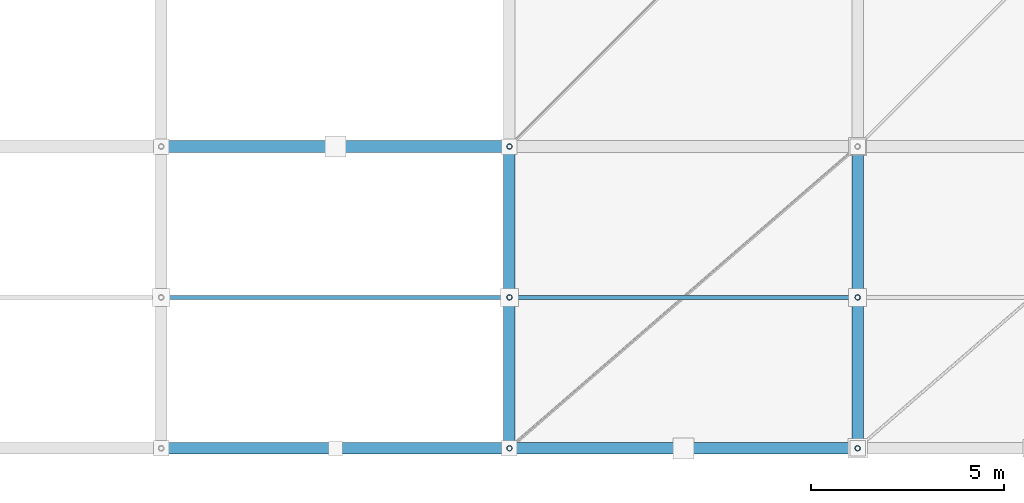
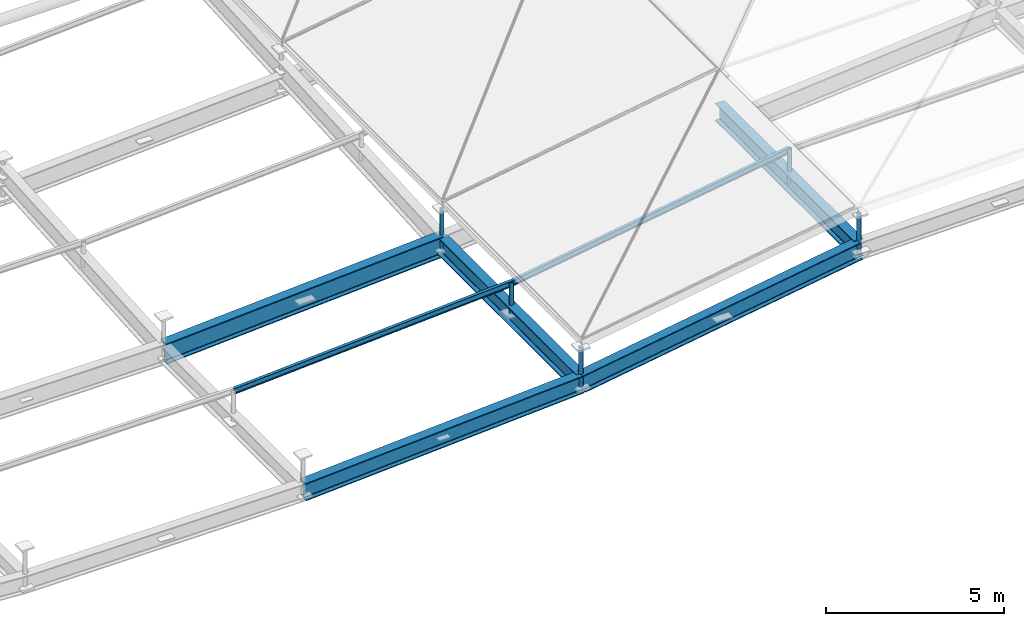
# One storey, part 15 of 80: 7 members, 5 beams.
"""IFC4 building model written with IfcOpenShell, lengths in metres."""

import ifcopenshell
import ifcopenshell.guid

model = None  # the IFC model being written
_history = None  # IfcOwnerHistory: only IFC2X3 demands one
_inside = {}  # id of a spatial element -> (the spatial element, [elements in it])
_under = {}  # id of a project, library or spatial element -> (it, [spatial elements below it])
_declared = {}  # id of a project -> (the project, [libraries it declares])
_typed = {}  # id of a type object -> (the type object, [elements of that type])
_made_of = {}  # id of a material, layer set ... -> (it, [elements and type objects made of it])


def new_model(schema):
    """Start an empty IFC model of exactly this schema.

    Asked for "IFC4X3", IfcOpenShell would pick the latest addendum, in which some entities
    have other attributes; the version numbers below select the first issue.
    IFC2X3 requires an IfcOwnerHistory on every rooted entity: one is made here for all.
    """
    global model, _history
    if schema == "IFC4X3":
        model = ifcopenshell.file(schema_version=(4, 3, 0, 0))
    else:
        model = ifcopenshell.file(schema=schema)
    _inside.clear()
    _under.clear()
    _declared.clear()
    _typed.clear()
    _made_of.clear()
    _history = None
    if model.schema == "IFC2X3":
        org = make("IfcOrganization", Name="unknown")
        user = make(
            "IfcPersonAndOrganization",
            ThePerson=make("IfcPerson", FamilyName="unknown"),
            TheOrganization=org,
        )
        app = make(
            "IfcApplication",
            ApplicationDeveloper=org,
            Version="unknown",
            ApplicationFullName="unknown",
            ApplicationIdentifier="unknown",
        )
        _history = make(
            "IfcOwnerHistory",
            OwningUser=user,
            OwningApplication=app,
            ChangeAction="ADDED",
            CreationDate=0,
        )
    return model


def make(cls, **values):
    """One entity of the class cls with the attributes given. An attribute that is None is left unset."""
    return model.create_entity(
        cls, **{name: value for name, value in values.items() if value is not None}
    )


def rooted(cls, **values):
    """An entity with a GlobalId (a new one), such as an element, a storey or a relation."""
    return make(cls, GlobalId=ifcopenshell.guid.new(), OwnerHistory=_history, **values)


def si_unit(unit_type, name, prefix=None):
    """IfcSIUnit, for example si_unit("LENGTHUNIT", "METRE", prefix="MILLI")."""
    return make("IfcSIUnit", UnitType=unit_type, Prefix=prefix, Name=name)


def assignment(units):
    """IfcUnitAssignment: the units of a project."""
    return None if units is None else make("IfcUnitAssignment", Units=units)


def point(xyz):
    """IfcCartesianPoint."""
    return None if xyz is None else make("IfcCartesianPoint", Coordinates=xyz)


def direction(xyz):
    """IfcDirection."""
    return None if xyz is None else make("IfcDirection", DirectionRatios=xyz)


def frame(location, z_axis=None, x_axis=None):
    """IfcAxis2Placement3D, a coordinate frame: its origin and axes. An axis left out is left unset."""
    return make(
        "IfcAxis2Placement3D",
        Location=point(location),
        Axis=direction(z_axis),
        RefDirection=direction(x_axis),
    )


def frame_2d(location, x_axis=None):
    """IfcAxis2Placement2D, a coordinate frame in the plane: its origin and x axis."""
    return make(
        "IfcAxis2Placement2D", Location=point(location), RefDirection=direction(x_axis)
    )


def origin():
    """The frame at (0, 0, 0) with its axes left unset."""
    return frame((0.0, 0.0, 0.0))


def origin_2d():
    """The frame at (0, 0) in the plane with its x axis left unset."""
    return frame_2d((0.0, 0.0))


def place(relative_to, where):
    """IfcLocalPlacement: puts the frame where relative to a parent placement (None: the world)."""
    return make(
        "IfcLocalPlacement", PlacementRelTo=relative_to, RelativePlacement=where
    )


def context(
    kind, dimensions, precision=None, world=None, true_north=None, identifier=None
):
    """IfcGeometricRepresentationContext, for example the 3D "Model" context."""
    return make(
        "IfcGeometricRepresentationContext",
        ContextIdentifier=identifier,
        ContextType=kind,
        CoordinateSpaceDimension=dimensions,
        Precision=precision,
        WorldCoordinateSystem=world,
        TrueNorth=true_north,
    )


def subcontext(parent, identifier, kind, view, scale=None):
    """IfcGeometricRepresentationSubContext, for example "Body" below "Model"."""
    return make(
        "IfcGeometricRepresentationSubContext",
        ContextIdentifier=identifier,
        ContextType=kind,
        ParentContext=parent,
        TargetScale=scale,
        TargetView=view,
    )


def project(units=None, contexts=None):
    """IfcProject with its units and contexts."""
    return rooted(
        "IfcProject",
        Name="project",
        RepresentationContexts=contexts,
        UnitsInContext=assignment(units),
    )


def spatial(cls, under=None, at=None, **own):
    """A site, building, storey or space (cls), placed at a placement, below another one or the project."""
    s = rooted(cls, ObjectPlacement=at, **own)
    if under is not None:
        _under.setdefault(under.id(), (under, []))[1].append(s)
    return s


def profile(cls, at=None, kind="AREA", **sizes):
    """A parametric profile (cls). Its sizes go by their IFC names, for example OverallWidth=200.0."""
    return make(cls, ProfileType=kind, Position=at, **sizes)


def hollow_circle(**sizes):
    """IfcCircleHollowProfileDef."""
    return profile("IfcCircleHollowProfileDef", **sizes)


def i_section(**sizes):
    """IfcIShapeProfileDef."""
    return profile("IfcIShapeProfileDef", **sizes)


def extrude(swept, where, along, depth):
    """IfcExtrudedAreaSolid: the profile swept, set in the frame where, extruded along a direction by depth."""
    return make(
        "IfcExtrudedAreaSolid",
        SweptArea=swept,
        Position=where,
        ExtrudedDirection=direction(along),
        Depth=depth,
    )


def shape(context_of_items, identifier, shape_type, items):
    """IfcShapeRepresentation: the items that make up one representation, for example the "Body"."""
    return make(
        "IfcShapeRepresentation",
        ContextOfItems=context_of_items,
        RepresentationIdentifier=identifier,
        RepresentationType=shape_type,
        Items=items,
    )


def material(Name=None, Category=None):
    """IfcMaterial."""
    return make("IfcMaterial", Name=Name, Category=Category)


def material_profile(
    of_material, cross_section, Name=None, Category=None, Priority=None
):
    """IfcMaterialProfile: a cross section and its material."""
    return make(
        "IfcMaterialProfile",
        Name=Name,
        Material=of_material,
        Profile=cross_section,
        Priority=Priority,
        Category=Category,
    )


def profile_set(profiles, Name=None, composite=None):
    """IfcMaterialProfileSet."""
    return make(
        "IfcMaterialProfileSet",
        Name=Name,
        MaterialProfiles=profiles,
        CompositeProfile=composite,
    )


def made_of(thing, what):
    """Note that an element or type object is made of a material, layer set ...; save() writes the relation."""
    if what is not None:
        _made_of.setdefault(what.id(), (what, []))[1].append(thing)
    return thing


def type_object(cls, material=None, **own):
    """A type object (cls), such as IfcWallType, which elements share."""
    return made_of(rooted(cls, **own), material)


def element(
    cls,
    number,
    at=None,
    inside=None,
    cuts=None,
    type_object=None,
    material=None,
    context=None,
    identifier="Body",
    shape_type=None,
    held_by="IfcProductDefinitionShape",
    body=None,
    shapes=None,
    **own,
):
    """One element of the class cls, such as IfcWall. Its Tag is "e" and its number.

    at: its placement. inside: the storey or other place that contains it. cuts: it is an
    opening in that element (IfcRelVoidsElement). A single representation is given by context,
    identifier, shape_type and body (its items); several are given by shapes. held_by: the class
    of the entity that holds the representations. save() writes the other relations.
    """
    e = rooted(cls, Tag="e%d" % number, ObjectPlacement=at, **own)
    if body is not None:
        shapes = [shape(context, identifier, shape_type, body)]
    if shapes is not None:
        e.Representation = make(held_by, Representations=shapes)
    if inside is not None:
        _inside.setdefault(inside.id(), (inside, []))[1].append(e)
    if cuts is not None:
        rooted(
            "IfcRelVoidsElement", RelatingBuildingElement=cuts, RelatedOpeningElement=e
        )
    if type_object is not None:
        _typed.setdefault(type_object.id(), (type_object, []))[1].append(e)
    return made_of(e, material)


def aggregate(whole, parts):
    """IfcRelAggregates: a whole, such as a stair, and the parts it consists of."""
    return rooted("IfcRelAggregates", RelatingObject=whole, RelatedObjects=parts)


def save(model, path):
    """Write the relations noted so far, then the file.

    IfcRelAggregates (storeys below a building ...), IfcRelContainedInSpatialStructure (elements
    in a storey), IfcRelDefinesByType, IfcRelAssociatesMaterial and IfcRelDeclares: one each for
    every whole, place, type object, material and project.
    """
    for whole, parts in _under.values():
        aggregate(whole, parts)
    for where, things in _inside.values():
        rooted(
            "IfcRelContainedInSpatialStructure",
            RelatedElements=things,
            RelatingStructure=where,
        )
    for kind, things in _typed.values():
        rooted("IfcRelDefinesByType", RelatedObjects=things, RelatingType=kind)
    for what, things in _made_of.values():
        rooted("IfcRelAssociatesMaterial", RelatedObjects=things, RelatingMaterial=what)
    for by, libraries in _declared.values():
        rooted("IfcRelDeclares", RelatingContext=by, RelatedDefinitions=libraries)
    model.write(path)


model = new_model("IFC4")

# Units and contexts
model_context = context("Model", 3, precision=1e-05, world=origin(), true_north=direction((0.0, 1.0)))
body_context = subcontext(model_context, "Body", "Model", "MODEL_VIEW")
ifc_project = project(units=[si_unit("LENGTHUNIT", "METRE"), si_unit("AREAUNIT", "SQUARE_METRE"), si_unit("VOLUMEUNIT", "CUBIC_METRE"), si_unit("PLANEANGLEUNIT", "RADIAN"), si_unit("MASSUNIT", "GRAM", prefix="KILO")], contexts=[model_context])

# Site, building, storey
site_placement = place(None, origin())
site = spatial("IfcSite", under=ifc_project, at=site_placement, CompositionType="ELEMENT")
building_placement = place(site_placement, origin())
building = spatial("IfcBuilding", under=site, at=building_placement, Name="Barlavento Convention Centre", CompositionType="ELEMENT")
storey_placement = place(building_placement, frame((0.0, 0.0, 29.800048828125)))
storey = spatial("IfcBuildingStorey", under=building, at=storey_placement, Name="RF", CompositionType="ELEMENT", Elevation=29.800048828125)

# Beams
ifc_material_1 = material(Name="Steel S355", Category="steel")
ifc_material_profile_1 = material_profile(ifc_material_1, i_section(OverallWidth=0.300048828125, OverallDepth=0.60009765625, WebThickness=0.015380859375, FlangeThickness=0.030029296875, FilletRadius=0.027099609375, at=origin_2d()), Name="HEB 600")
ifc_profile_set_1 = profile_set([ifc_material_profile_1], Name="Steel S355")
beam_type_1 = type_object("IfcBeamType", Name="STR-BM-CANT-HEB600", PredefinedType="BEAM", material=ifc_profile_set_1)
beam_1_placement = place(storey_placement, frame((36.0048828125, -7.800048828125, -1.800048828125), z_axis=(0.998176275641, 0.0, 0.060366569787), x_axis=(0.0, 1.0, 0.0)))
element("IfcBeam", 1, at=beam_1_placement, inside=storey, type_object=beam_type_1, Name="Congress roof truss space frame chord", PredefinedType="BEAM", context=body_context, shape_type="SweptSolid", body=[
    extrude(i_section(OverallWidth=0.300048828125, OverallDepth=0.60009765625, WebThickness=0.015380859375, FlangeThickness=0.030029296875, FilletRadius=0.027099609375, at=origin_2d()), origin(), (0.0, 0.0, 1.0), 9.006591796875),
])
beam_2_placement = place(storey_placement, frame((45.0048828125, -7.800048828125, -1.25634765625), z_axis=(0.987879711266, 0.0, 0.155221377617), x_axis=(0.0, 1.0, 0.0)))
element("IfcBeam", 2, at=beam_2_placement, inside=storey, type_object=beam_type_1, Name="Congress roof truss space frame chord", PredefinedType="BEAM", context=body_context, shape_type="SweptSolid", body=[
    extrude(i_section(OverallWidth=0.300048828125, OverallDepth=0.60009765625, WebThickness=0.015380859375, FlangeThickness=0.030029296875, FilletRadius=0.027099609375, at=origin_2d()), origin(), (0.0, 0.0, 1.0), 9.1005859375),
])
for number, where, z_axis, x_axis, name in (
    (3, (45.0, -7.794921875, -1.25634765625), (0.0, 1.0, 0.0), (-1.0, 0.0, 0.0), "Congress roof truss space frame chord"),
    (4, (54.0, -7.794921875, 0.15625), (0.0, 1.0, 0.0), (-1.0, 0.0, 0.0), "Congress roof truss space frame chord"),
):
    element("IfcBeam", number, at=place(storey_placement, frame(where, z_axis=z_axis, x_axis=x_axis)), inside=storey, type_object=beam_type_1, Name=name, PredefinedType="BEAM", context=body_context, shape_type="SweptSolid", body=[
        extrude(i_section(OverallWidth=0.300048828125, OverallDepth=0.60009765625, WebThickness=0.015380859375, FlangeThickness=0.030029296875, FilletRadius=0.027099609375, at=origin_2d()), origin(), (0.0, 0.0, 1.0), 7.7900390625),
    ])
ifc_material_2 = material(Name="Steel S460", Category="steel")
ifc_material_profile_2 = material_profile(ifc_material_2, i_section(OverallWidth=0.300048828125, OverallDepth=0.699951171875, WebThickness=0.01708984375, FlangeThickness=0.031982421875, FilletRadius=0.027099609375, at=origin_2d()), Name="HEB 700")
ifc_profile_set_2 = profile_set([ifc_material_profile_2], Name="Steel S460")
beam_type_2 = type_object("IfcBeamType", Name="STR-BM-TRUSS-TOP-HEB700", PredefinedType="BEAM", material=ifc_profile_set_2)
beam_3_placement = place(storey_placement, frame((36.0048828125, 0.0, -1.800048828125), z_axis=(0.998176275641, 0.0, 0.060366569787), x_axis=(0.0, 1.0, 0.0)))
element("IfcBeam", 5, at=beam_3_placement, inside=storey, type_object=beam_type_2, Name="Congress roof truss space frame chord", PredefinedType="BEAM", context=body_context, shape_type="SweptSolid", body=[
    extrude(i_section(OverallWidth=0.300048828125, OverallDepth=0.699951171875, WebThickness=0.01708984375, FlangeThickness=0.031982421875, FilletRadius=0.027099609375, at=origin_2d()), origin(), (0.0, 0.0, 1.0), 9.006591796875),
])

# Members
ifc_material_profile_3 = material_profile(ifc_material_1, hollow_circle(Radius=0.06982421875, WallThickness=0.008056640625, at=origin_2d()), Name="CHS 139.7x8.0")
ifc_profile_set_3 = profile_set([ifc_material_profile_3], Name="Steel S355")
member_type_1 = type_object("IfcMemberType", Name="STR-MEM-DIAG-CHS139", PredefinedType="BRACE", material=ifc_profile_set_3)
for number, where, z_axis, x_axis, name in (
    (6, (45.0, -7.800048828125, -1.40625), (0.0, 0.0, 1.0), (1.0, 0.0, 0.0), "Congress space frame vertical node post TD04"),
    (7, (45.0, 0.0, -1.40625), (0.0, 0.0, 1.0), (1.0, 0.0, 0.0), "Congress space frame vertical node post TD04"),
    (8, (54.0, -7.800048828125, 0.00634765625), (0.0, 0.0, 1.0), (1.0, 0.0, 0.0), "Congress space frame vertical node post TD04"),
):
    element("IfcMember", number, at=place(storey_placement, frame(where, z_axis=z_axis, x_axis=x_axis)), inside=storey, type_object=member_type_1, Name=name, PredefinedType="BRACE", context=body_context, shape_type="SweptSolid", body=[
        extrude(hollow_circle(Radius=0.06982421875, WallThickness=0.008056640625, at=origin_2d()), origin(), (0.0, 0.0, 1.0), 1.369873046875),
    ])
member_1_placement = place(storey_placement, frame((45.0, -3.89990234375, -1.37646484375), z_axis=(0.0, 0.0, 1.0), x_axis=(1.0, 0.0, 0.0)))
element("IfcMember", 9, at=member_1_placement, inside=storey, type_object=member_type_1, Name="Congress space frame vertical node post TD04", PredefinedType="BRACE", context=body_context, shape_type="SweptSolid", body=[
    extrude(hollow_circle(Radius=0.06982421875, WallThickness=0.008056640625, at=origin_2d()), origin(), (0.0, 0.0, 1.0), 1.184326171875),
])
member_2_placement = place(storey_placement, frame((54.0, -3.89990234375, 0.0361328125), z_axis=(0.0, 0.0, 1.0), x_axis=(1.0, 0.0, 0.0)))
element("IfcMember", 10, at=member_2_placement, inside=storey, type_object=member_type_1, Name="Congress space frame vertical node post TD04", PredefinedType="BRACE", context=body_context, shape_type="SweptSolid", body=[
    extrude(hollow_circle(Radius=0.06982421875, WallThickness=0.008056640625, at=origin_2d()), origin(), (0.0, 0.0, 1.0), 1.197509765625),
])
ifc_material_profile_4 = material_profile(ifc_material_1, i_section(OverallWidth=0.10009765625, OverallDepth=0.199951171875, WebThickness=0.005615234375, FlangeThickness=0.008544921875, FilletRadius=0.011962890625, at=origin_2d()), Name="IPE 200")
ifc_profile_set_4 = profile_set([ifc_material_profile_4], Name="Steel S355")
member_type_2 = type_object("IfcMemberType", Name="STR-MEM-PUR-IPE200", PredefinedType="PURLIN", material=ifc_profile_set_4)
member_3_placement = place(storey_placement, frame((36.02001953125, -3.89990234375, -0.778076171875), z_axis=(0.998186914297, 0.0, 0.060190398947), x_axis=(0.0, 1.0, 0.0)))
element("IfcMember", 11, at=member_3_placement, inside=storey, type_object=member_type_2, Name="Congress roof intermediate purlin PR01", PredefinedType="PURLIN", context=body_context, shape_type="SweptSolid", body=[
    extrude(i_section(OverallWidth=0.10009765625, OverallDepth=0.199951171875, WebThickness=0.005615234375, FlangeThickness=0.008544921875, FilletRadius=0.011962890625, at=origin_2d()), origin(), (0.0, 0.0, 1.0), 8.976318359375),
])
member_4_placement = place(storey_placement, frame((45.02001953125, -3.89990234375, -0.232177734375), z_axis=(0.987840537271, 0.0, 0.155470488918), x_axis=(0.0, 1.0, 0.0)))
element("IfcMember", 12, at=member_4_placement, inside=storey, type_object=member_type_2, Name="Congress roof intermediate purlin PR01", PredefinedType="PURLIN", context=body_context, shape_type="SweptSolid", body=[
    extrude(i_section(OverallWidth=0.10009765625, OverallDepth=0.199951171875, WebThickness=0.005615234375, FlangeThickness=0.008544921875, FilletRadius=0.011962890625, at=origin_2d()), origin(), (0.0, 0.0, 1.0), 9.0703125),
])

save(model, "model.ifc")
